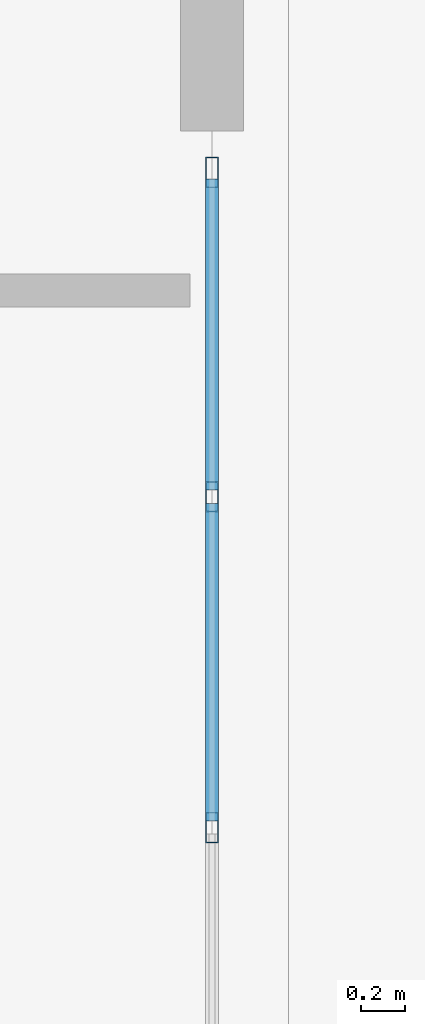
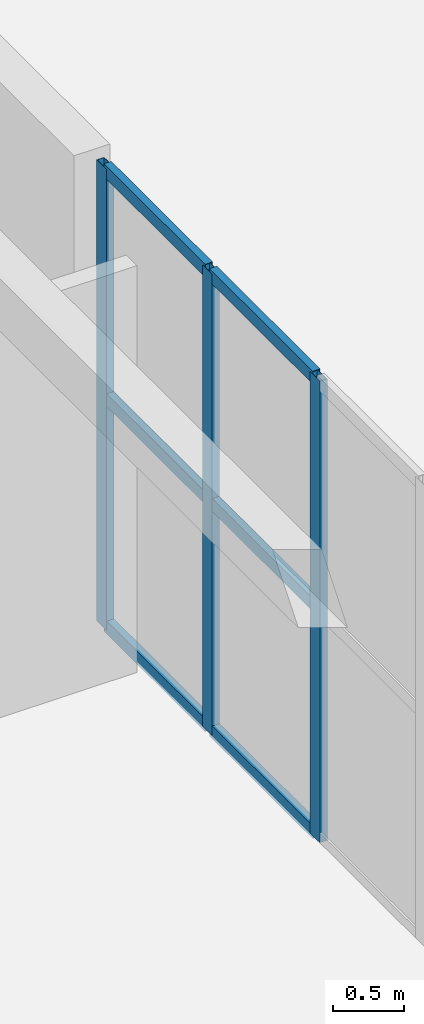
# One storey, part 32 of 90: 9 members, 1 element without a shape of its own.
"""IFC4 building model written with IfcOpenShell, lengths in metres."""

import ifcopenshell
import ifcopenshell.guid

model = None  # the IFC model being written
_history = None  # IfcOwnerHistory: only IFC2X3 demands one
_inside = {}  # id of a spatial element -> (the spatial element, [elements in it])
_under = {}  # id of a project, library or spatial element -> (it, [spatial elements below it])
_declared = {}  # id of a project -> (the project, [libraries it declares])
_typed = {}  # id of a type object -> (the type object, [elements of that type])
_made_of = {}  # id of a material, layer set ... -> (it, [elements and type objects made of it])


def new_model(schema):
    """Start an empty IFC model of exactly this schema.

    Asked for "IFC4X3", IfcOpenShell would pick the latest addendum, in which some entities
    have other attributes; the version numbers below select the first issue.
    IFC2X3 requires an IfcOwnerHistory on every rooted entity: one is made here for all.
    """
    global model, _history
    if schema == "IFC4X3":
        model = ifcopenshell.file(schema_version=(4, 3, 0, 0))
    else:
        model = ifcopenshell.file(schema=schema)
    _inside.clear()
    _under.clear()
    _declared.clear()
    _typed.clear()
    _made_of.clear()
    _history = None
    if model.schema == "IFC2X3":
        org = make("IfcOrganization", Name="unknown")
        user = make(
            "IfcPersonAndOrganization",
            ThePerson=make("IfcPerson", FamilyName="unknown"),
            TheOrganization=org,
        )
        app = make(
            "IfcApplication",
            ApplicationDeveloper=org,
            Version="unknown",
            ApplicationFullName="unknown",
            ApplicationIdentifier="unknown",
        )
        _history = make(
            "IfcOwnerHistory",
            OwningUser=user,
            OwningApplication=app,
            ChangeAction="ADDED",
            CreationDate=0,
        )
    return model


def make(cls, **values):
    """One entity of the class cls with the attributes given. An attribute that is None is left unset."""
    return model.create_entity(
        cls, **{name: value for name, value in values.items() if value is not None}
    )


def rooted(cls, **values):
    """An entity with a GlobalId (a new one), such as an element, a storey or a relation."""
    return make(cls, GlobalId=ifcopenshell.guid.new(), OwnerHistory=_history, **values)


def si_unit(unit_type, name, prefix=None):
    """IfcSIUnit, for example si_unit("LENGTHUNIT", "METRE", prefix="MILLI")."""
    return make("IfcSIUnit", UnitType=unit_type, Prefix=prefix, Name=name)


def assignment(units):
    """IfcUnitAssignment: the units of a project."""
    return None if units is None else make("IfcUnitAssignment", Units=units)


def point(xyz):
    """IfcCartesianPoint."""
    return None if xyz is None else make("IfcCartesianPoint", Coordinates=xyz)


def direction(xyz):
    """IfcDirection."""
    return None if xyz is None else make("IfcDirection", DirectionRatios=xyz)


def frame(location, z_axis=None, x_axis=None):
    """IfcAxis2Placement3D, a coordinate frame: its origin and axes. An axis left out is left unset."""
    return make(
        "IfcAxis2Placement3D",
        Location=point(location),
        Axis=direction(z_axis),
        RefDirection=direction(x_axis),
    )


def frame_2d(location, x_axis=None):
    """IfcAxis2Placement2D, a coordinate frame in the plane: its origin and x axis."""
    return make(
        "IfcAxis2Placement2D", Location=point(location), RefDirection=direction(x_axis)
    )


def origin():
    """The frame at (0, 0, 0) with its axes left unset."""
    return frame((0.0, 0.0, 0.0))


def origin_2d():
    """The frame at (0, 0) in the plane with its x axis left unset."""
    return frame_2d((0.0, 0.0))


def place(relative_to, where):
    """IfcLocalPlacement: puts the frame where relative to a parent placement (None: the world)."""
    return make(
        "IfcLocalPlacement", PlacementRelTo=relative_to, RelativePlacement=where
    )


def context(
    kind, dimensions, precision=None, world=None, true_north=None, identifier=None
):
    """IfcGeometricRepresentationContext, for example the 3D "Model" context."""
    return make(
        "IfcGeometricRepresentationContext",
        ContextIdentifier=identifier,
        ContextType=kind,
        CoordinateSpaceDimension=dimensions,
        Precision=precision,
        WorldCoordinateSystem=world,
        TrueNorth=true_north,
    )


def subcontext(parent, identifier, kind, view, scale=None):
    """IfcGeometricRepresentationSubContext, for example "Body" below "Model"."""
    return make(
        "IfcGeometricRepresentationSubContext",
        ContextIdentifier=identifier,
        ContextType=kind,
        ParentContext=parent,
        TargetScale=scale,
        TargetView=view,
    )


def project(units=None, contexts=None):
    """IfcProject with its units and contexts."""
    return rooted(
        "IfcProject",
        Name="project",
        RepresentationContexts=contexts,
        UnitsInContext=assignment(units),
    )


def spatial(cls, under=None, at=None, **own):
    """A site, building, storey or space (cls), placed at a placement, below another one or the project."""
    s = rooted(cls, ObjectPlacement=at, **own)
    if under is not None:
        _under.setdefault(under.id(), (under, []))[1].append(s)
    return s


def profile(cls, at=None, kind="AREA", **sizes):
    """A parametric profile (cls). Its sizes go by their IFC names, for example OverallWidth=200.0."""
    return make(cls, ProfileType=kind, Position=at, **sizes)


def hollow_rectangle(**sizes):
    """IfcRectangleHollowProfileDef."""
    return profile("IfcRectangleHollowProfileDef", **sizes)


def extrude(swept, where, along, depth):
    """IfcExtrudedAreaSolid: the profile swept, set in the frame where, extruded along a direction by depth."""
    return make(
        "IfcExtrudedAreaSolid",
        SweptArea=swept,
        Position=where,
        ExtrudedDirection=direction(along),
        Depth=depth,
    )


def shape(context_of_items, identifier, shape_type, items):
    """IfcShapeRepresentation: the items that make up one representation, for example the "Body"."""
    return make(
        "IfcShapeRepresentation",
        ContextOfItems=context_of_items,
        RepresentationIdentifier=identifier,
        RepresentationType=shape_type,
        Items=items,
    )


def material(Name=None, Category=None):
    """IfcMaterial."""
    return make("IfcMaterial", Name=Name, Category=Category)


def layer(
    of_material, thickness, ventilated=None, Name=None, Category=None, Priority=None
):
    """IfcMaterialLayer: one layer of a wall or slab, of a material (None: an air gap)."""
    return make(
        "IfcMaterialLayer",
        Material=of_material,
        LayerThickness=thickness,
        IsVentilated=ventilated,
        Name=Name,
        Category=Category,
        Priority=Priority,
    )


def layer_set(layers, Name=None):
    """IfcMaterialLayerSet."""
    return make("IfcMaterialLayerSet", MaterialLayers=layers, LayerSetName=Name)


def material_profile(
    of_material, cross_section, Name=None, Category=None, Priority=None
):
    """IfcMaterialProfile: a cross section and its material."""
    return make(
        "IfcMaterialProfile",
        Name=Name,
        Material=of_material,
        Profile=cross_section,
        Priority=Priority,
        Category=Category,
    )


def profile_set(profiles, Name=None, composite=None):
    """IfcMaterialProfileSet."""
    return make(
        "IfcMaterialProfileSet",
        Name=Name,
        MaterialProfiles=profiles,
        CompositeProfile=composite,
    )


def made_of(thing, what):
    """Note that an element or type object is made of a material, layer set ...; save() writes the relation."""
    if what is not None:
        _made_of.setdefault(what.id(), (what, []))[1].append(thing)
    return thing


def type_object(cls, material=None, **own):
    """A type object (cls), such as IfcWallType, which elements share."""
    return made_of(rooted(cls, **own), material)


def element(
    cls,
    number,
    at=None,
    inside=None,
    cuts=None,
    type_object=None,
    material=None,
    context=None,
    identifier="Body",
    shape_type=None,
    held_by="IfcProductDefinitionShape",
    body=None,
    shapes=None,
    **own,
):
    """One element of the class cls, such as IfcWall. Its Tag is "e" and its number.

    at: its placement. inside: the storey or other place that contains it. cuts: it is an
    opening in that element (IfcRelVoidsElement). A single representation is given by context,
    identifier, shape_type and body (its items); several are given by shapes. held_by: the class
    of the entity that holds the representations. save() writes the other relations.
    """
    e = rooted(cls, Tag="e%d" % number, ObjectPlacement=at, **own)
    if body is not None:
        shapes = [shape(context, identifier, shape_type, body)]
    if shapes is not None:
        e.Representation = make(held_by, Representations=shapes)
    if inside is not None:
        _inside.setdefault(inside.id(), (inside, []))[1].append(e)
    if cuts is not None:
        rooted(
            "IfcRelVoidsElement", RelatingBuildingElement=cuts, RelatedOpeningElement=e
        )
    if type_object is not None:
        _typed.setdefault(type_object.id(), (type_object, []))[1].append(e)
    return made_of(e, material)


def aggregate(whole, parts):
    """IfcRelAggregates: a whole, such as a stair, and the parts it consists of."""
    return rooted("IfcRelAggregates", RelatingObject=whole, RelatedObjects=parts)


def save(model, path):
    """Write the relations noted so far, then the file.

    IfcRelAggregates (storeys below a building ...), IfcRelContainedInSpatialStructure (elements
    in a storey), IfcRelDefinesByType, IfcRelAssociatesMaterial and IfcRelDeclares: one each for
    every whole, place, type object, material and project.
    """
    for whole, parts in _under.values():
        aggregate(whole, parts)
    for where, things in _inside.values():
        rooted(
            "IfcRelContainedInSpatialStructure",
            RelatedElements=things,
            RelatingStructure=where,
        )
    for kind, things in _typed.values():
        rooted("IfcRelDefinesByType", RelatedObjects=things, RelatingType=kind)
    for what, things in _made_of.values():
        rooted("IfcRelAssociatesMaterial", RelatedObjects=things, RelatingMaterial=what)
    for by, libraries in _declared.values():
        rooted("IfcRelDeclares", RelatingContext=by, RelatedDefinitions=libraries)
    model.write(path)


model = new_model("IFC4")

# Units and contexts
model_context = context("Model", 3, precision=1e-05, world=origin(), true_north=direction((0.0, 1.0)))
body_context = subcontext(model_context, "Body", "Model", "MODEL_VIEW")
ifc_project = project(units=[si_unit("LENGTHUNIT", "METRE"), si_unit("AREAUNIT", "SQUARE_METRE"), si_unit("VOLUMEUNIT", "CUBIC_METRE"), si_unit("PLANEANGLEUNIT", "RADIAN"), si_unit("MASSUNIT", "GRAM", prefix="KILO")], contexts=[model_context])

# Site, building, storey
site_placement = place(None, origin())
site = spatial("IfcSite", under=ifc_project, at=site_placement, CompositionType="ELEMENT")
building_placement = place(site_placement, origin())
building = spatial("IfcBuilding", under=site, at=building_placement, Name="Trelvath General Hospital", CompositionType="ELEMENT")
storey_placement = place(building_placement, frame((0.0, 0.0, 20.39990234375)))
storey = spatial("IfcBuildingStorey", under=building, at=storey_placement, Name="L05", CompositionType="ELEMENT", Elevation=20.39990234375)

# Curtain wall, members
ifc_material_1 = material(Name="Anodised aluminium and low-E glass", Category="aluminium")
ifc_layer = layer(ifc_material_1, 0.14990234375)
ifc_layer_set = layer_set([ifc_layer], Name="Anodised aluminium and low-E glass")
curtain_wall_type = type_object("IfcCurtainWallType", Name="CW CrystalCube 454 396 15", PredefinedType="USERDEFINED", material=ifc_layer_set)
curtain_wall_placement = place(storey_placement, origin())
curtain_wall = element("IfcCurtainWall", 1, at=curtain_wall_placement, inside=storey, type_object=curtain_wall_type, Name="Crystal Cube Curtain Wall CUBE-E-T2 E2 L05", ObjectType="Unitised Glazed Curtain Wall", PredefinedType="USERDEFINED")
ifc_material_2 = material(Name="Anodised aluminium", Category="aluminium")
ifc_material_profile_1 = material_profile(ifc_material_2, hollow_rectangle(XDim=0.06005859375, YDim=0.139892578125, WallThickness=0.00390625, at=origin_2d()), Name="RHS60x140x4")
ifc_profile_set_1 = profile_set([ifc_material_profile_1], Name="Anodised aluminium")
member_type_1 = type_object("IfcMemberType", Name="CurtainMullion 60x140", PredefinedType="MULLION", material=ifc_profile_set_1)
member_1_placement = place(storey_placement, frame((108.39990234375, 54.989990234375, 0.0), z_axis=(0.0, 0.0, 1.0), x_axis=(1.0, 0.0, 0.0)))
member_1 = element("IfcMember", 2, at=member_1_placement, type_object=member_type_1, Name="CW-320 mullion 1", PredefinedType="MULLION", context=body_context, shape_type="SweptSolid", body=[
    extrude(hollow_rectangle(XDim=0.06005859375, YDim=0.139892578125, WallThickness=0.00390625, at=origin_2d()), origin(), (0.0, 0.0, 1.0), 3.960205078125),
])
member_2_placement = place(storey_placement, frame((108.39990234375, 53.506591796875, 0.0), z_axis=(0.0, 0.0, 1.0), x_axis=(1.0, 0.0, 0.0)))
member_2 = element("IfcMember", 3, at=member_2_placement, type_object=member_type_1, Name="CW-320 mullion 2", PredefinedType="MULLION", context=body_context, shape_type="SweptSolid", body=[
    extrude(hollow_rectangle(XDim=0.06005859375, YDim=0.139892578125, WallThickness=0.00390625, at=origin_2d()), origin(), (0.0, 0.0, 1.0), 3.960205078125),
])
member_3_placement = place(storey_placement, frame((108.39990234375, 51.993408203125, 0.0), z_axis=(0.0, 0.0, 1.0), x_axis=(1.0, 0.0, 0.0)))
member_3 = element("IfcMember", 4, at=member_3_placement, type_object=member_type_1, Name="CW-320 mullion 3", PredefinedType="MULLION", context=body_context, shape_type="SweptSolid", body=[
    extrude(hollow_rectangle(XDim=0.06005859375, YDim=0.139892578125, WallThickness=0.00390625, at=origin_2d()), origin(), (0.0, 0.0, 1.0), 3.960205078125),
])
ifc_material_3 = material(Name="Anodised aluminium", Category="aluminium")
ifc_material_profile_2 = material_profile(ifc_material_3, hollow_rectangle(XDim=0.06005859375, YDim=0.110107421875, WallThickness=0.00390625, at=origin_2d()), Name="RHS60x110x4")
ifc_profile_set_2 = profile_set([ifc_material_profile_2], Name="Anodised aluminium")
member_type_2 = type_object("IfcMemberType", Name="CurtainTransom 60x110", PredefinedType="USERDEFINED", material=ifc_profile_set_2)
member_4_placement = place(storey_placement, frame((108.39990234375, 54.9599609375, 0.030029296875), z_axis=(0.0, -1.0, 0.0), x_axis=(1.0, 0.0, 0.0)))
member_4 = element("IfcMember", 5, at=member_4_placement, type_object=member_type_2, Name="CW-320 transom 1.1", ObjectType="TRANSOM", PredefinedType="USERDEFINED", context=body_context, shape_type="SweptSolid", body=[
    extrude(hollow_rectangle(XDim=0.06005859375, YDim=0.110107421875, WallThickness=0.00390625, at=origin_2d()), origin(), (0.0, 0.0, 1.0), 1.42333984375),
])
member_5_placement = place(storey_placement, frame((108.39990234375, 54.9599609375, 1.97998046875), z_axis=(0.0, -1.0, 0.0), x_axis=(1.0, 0.0, 0.0)))
member_5 = element("IfcMember", 6, at=member_5_placement, type_object=member_type_2, Name="CW-320 transom 1.2", ObjectType="TRANSOM", PredefinedType="USERDEFINED", context=body_context, shape_type="SweptSolid", body=[
    extrude(hollow_rectangle(XDim=0.06005859375, YDim=0.110107421875, WallThickness=0.00390625, at=origin_2d()), origin(), (0.0, 0.0, 1.0), 1.42333984375),
])
member_6_placement = place(storey_placement, frame((108.39990234375, 54.9599609375, 3.93017578125), z_axis=(0.0, -1.0, 0.0), x_axis=(1.0, 0.0, 0.0)))
member_6 = element("IfcMember", 7, at=member_6_placement, type_object=member_type_2, Name="CW-320 transom 1.3", ObjectType="TRANSOM", PredefinedType="USERDEFINED", context=body_context, shape_type="SweptSolid", body=[
    extrude(hollow_rectangle(XDim=0.06005859375, YDim=0.110107421875, WallThickness=0.00390625, at=origin_2d()), origin(), (0.0, 0.0, 1.0), 1.42333984375),
])
member_7_placement = place(storey_placement, frame((108.39990234375, 53.4765625, 0.030029296875), z_axis=(0.0, -1.0, 0.0), x_axis=(1.0, 0.0, 0.0)))
member_7 = element("IfcMember", 8, at=member_7_placement, type_object=member_type_2, Name="CW-320 transom 2.1", ObjectType="TRANSOM", PredefinedType="USERDEFINED", context=body_context, shape_type="SweptSolid", body=[
    extrude(hollow_rectangle(XDim=0.06005859375, YDim=0.110107421875, WallThickness=0.00390625, at=origin_2d()), origin(), (0.0, 0.0, 1.0), 1.453125),
])
member_8_placement = place(storey_placement, frame((108.39990234375, 53.4765625, 1.97998046875), z_axis=(0.0, -1.0, 0.0), x_axis=(1.0, 0.0, 0.0)))
member_8 = element("IfcMember", 9, at=member_8_placement, type_object=member_type_2, Name="CW-320 transom 2.2", ObjectType="TRANSOM", PredefinedType="USERDEFINED", context=body_context, shape_type="SweptSolid", body=[
    extrude(hollow_rectangle(XDim=0.06005859375, YDim=0.110107421875, WallThickness=0.00390625, at=origin_2d()), origin(), (0.0, 0.0, 1.0), 1.453125),
])
member_9_placement = place(storey_placement, frame((108.39990234375, 53.4765625, 3.93017578125), z_axis=(0.0, -1.0, 0.0), x_axis=(1.0, 0.0, 0.0)))
member_9 = element("IfcMember", 10, at=member_9_placement, type_object=member_type_2, Name="CW-320 transom 2.3", ObjectType="TRANSOM", PredefinedType="USERDEFINED", context=body_context, shape_type="SweptSolid", body=[
    extrude(hollow_rectangle(XDim=0.06005859375, YDim=0.110107421875, WallThickness=0.00390625, at=origin_2d()), origin(), (0.0, 0.0, 1.0), 1.453125),
])
aggregate(curtain_wall, [member_1, member_2, member_3, member_4, member_5, member_6, member_7, member_8, member_9])

save(model, "model.ifc")
